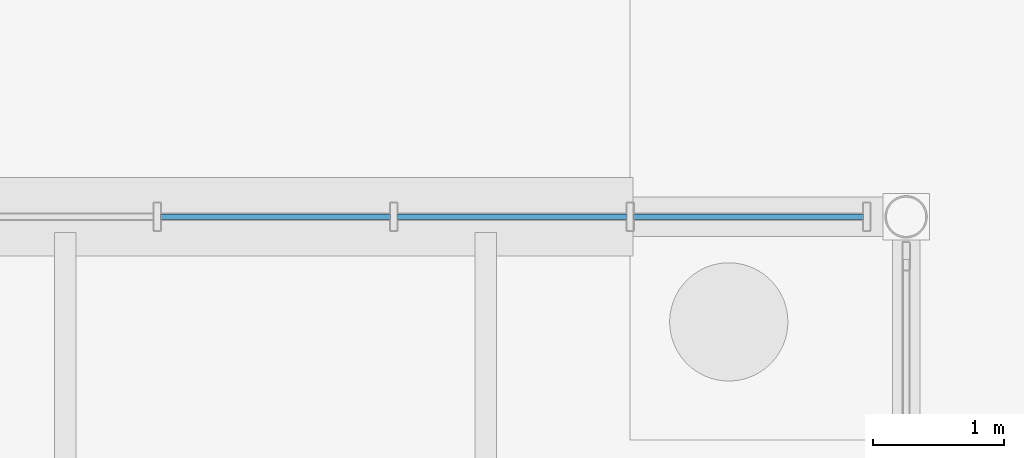
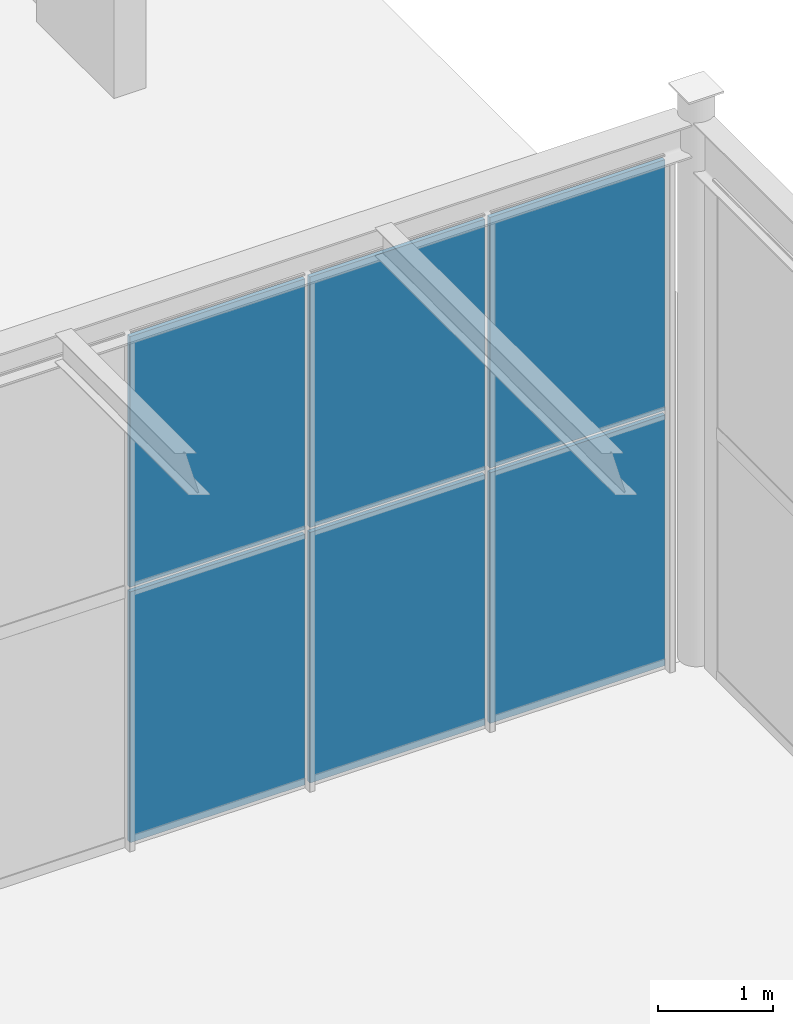
# One storey, part 112 of 142: 6 plates, 1 element without a shape of its own.
"""IFC4 building model written with IfcOpenShell, lengths in metres."""

from ifc_helpers import new_model, si_unit, direction, frame, origin, origin_2d, place, context, subcontext, project, spatial, rectangle, extrude, material, layer, layer_set, type_object, element, aggregate, save


model = new_model("IFC4")

# Units and contexts
model_context = context("Model", 3, precision=1e-05, world=origin(), true_north=direction((0.0, 1.0)))
body_context = subcontext(model_context, "Body", "Model", "MODEL_VIEW")
ifc_project = project(units=[si_unit("LENGTHUNIT", "METRE"), si_unit("AREAUNIT", "SQUARE_METRE"), si_unit("VOLUMEUNIT", "CUBIC_METRE"), si_unit("PLANEANGLEUNIT", "RADIAN"), si_unit("MASSUNIT", "GRAM", prefix="KILO")], contexts=[model_context])

# Site, building, storey
site_placement = place(None, origin())
site = spatial("IfcSite", under=ifc_project, at=site_placement, CompositionType="ELEMENT")
building_placement = place(site_placement, origin())
building = spatial("IfcBuilding", under=site, at=building_placement, Name="Coralgate Yard Interchange", CompositionType="ELEMENT")
storey_placement = place(building_placement, origin())
storey = spatial("IfcBuildingStorey", under=building, at=storey_placement, Name="L00", CompositionType="ELEMENT", Elevation=0.0)

# Curtain wall, plates
ifc_material_1 = material(Name="Anodised coastal aluminium and solar-control low-E glass", Category="aluminium")
curtain_wall_type = type_object("IfcCurtainWallType", Name="CW-CW-L00-A", PredefinedType="NOTDEFINED", material=ifc_material_1)
curtain_wall_placement = place(storey_placement, origin())
curtain_wall = element("IfcCurtainWall", 1, at=curtain_wall_placement, inside=storey, type_object=curtain_wall_type, Name="L00 unitised curtain wall CW-L00-N-18-09", PredefinedType="NOTDEFINED")
ifc_material_2 = material(Name="Solar-control double-glazed low-E glass unit", Category="glass")
ifc_layer = layer(ifc_material_2, 0.0419921875)
ifc_layer_set = layer_set([ifc_layer], Name="Solar-control double-glazed low-E glass unit")
plate_type = type_object("IfcPlateType", Name="PLT-CP-42", PredefinedType="CURTAIN_PANEL", material=ifc_layer_set)
plate_1_placement = place(storey_placement, frame((177.60009765625, 96.0, 0.025146484375), z_axis=(0.0, 0.0, 1.0), x_axis=(1.0, 0.0, 0.0)))
plate_1 = element("IfcPlate", 2, at=plate_1_placement, type_object=plate_type, Name="CW-L00-N-18-09 solar-control glazing panel 3-1", PredefinedType="CURTAIN_PANEL", context=body_context, shape_type="SweptSolid", body=[
    extrude(rectangle(XDim=1.75, YDim=0.0419921875, at=origin_2d()), origin(), (0.0, 0.0, 1.0), 2.64990234375),
])
plate_2_placement = place(storey_placement, frame((177.60009765625, 96.0, 2.72509765625), z_axis=(0.0, 0.0, 1.0), x_axis=(1.0, 0.0, 0.0)))
plate_2 = element("IfcPlate", 3, at=plate_2_placement, type_object=plate_type, Name="CW-L00-N-18-09 solar-control glazing panel 3-2", PredefinedType="CURTAIN_PANEL", context=body_context, shape_type="SweptSolid", body=[
    extrude(rectangle(XDim=1.75, YDim=0.0419921875, at=origin_2d()), origin(), (0.0, 0.0, 1.0), 2.64990234375),
])
plate_3_placement = place(storey_placement, frame((179.39990234375, 96.0, 0.025146484375), z_axis=(0.0, 0.0, 1.0), x_axis=(1.0, 0.0, 0.0)))
plate_3 = element("IfcPlate", 4, at=plate_3_placement, type_object=plate_type, Name="CW-L00-N-18-09 solar-control glazing panel 4-1", PredefinedType="CURTAIN_PANEL", context=body_context, shape_type="SweptSolid", body=[
    extrude(rectangle(XDim=1.75, YDim=0.0419921875, at=origin_2d()), origin(), (0.0, 0.0, 1.0), 2.64990234375),
])
plate_4_placement = place(storey_placement, frame((179.39990234375, 96.0, 2.72509765625), z_axis=(0.0, 0.0, 1.0), x_axis=(1.0, 0.0, 0.0)))
plate_4 = element("IfcPlate", 5, at=plate_4_placement, type_object=plate_type, Name="CW-L00-N-18-09 solar-control glazing panel 4-2", PredefinedType="CURTAIN_PANEL", context=body_context, shape_type="SweptSolid", body=[
    extrude(rectangle(XDim=1.75, YDim=0.0419921875, at=origin_2d()), origin(), (0.0, 0.0, 1.0), 2.64990234375),
])
plate_5_placement = place(storey_placement, frame((181.199951171875, 96.0, 0.025146484375), z_axis=(0.0, 0.0, 1.0), x_axis=(1.0, 0.0, 0.0)))
plate_5 = element("IfcPlate", 6, at=plate_5_placement, type_object=plate_type, Name="CW-L00-N-18-09 solar-control glazing panel 5-1", PredefinedType="CURTAIN_PANEL", context=body_context, shape_type="SweptSolid", body=[
    extrude(rectangle(XDim=1.75, YDim=0.0419921875, at=origin_2d()), origin(), (0.0, 0.0, 1.0), 2.64990234375),
])
plate_6_placement = place(storey_placement, frame((181.199951171875, 96.0, 2.72509765625), z_axis=(0.0, 0.0, 1.0), x_axis=(1.0, 0.0, 0.0)))
plate_6 = element("IfcPlate", 7, at=plate_6_placement, type_object=plate_type, Name="CW-L00-N-18-09 solar-control glazing panel 5-2", PredefinedType="CURTAIN_PANEL", context=body_context, shape_type="SweptSolid", body=[
    extrude(rectangle(XDim=1.75, YDim=0.0419921875, at=origin_2d()), origin(), (0.0, 0.0, 1.0), 2.64990234375),
])
aggregate(curtain_wall, [plate_1, plate_2, plate_3, plate_4, plate_5, plate_6])

save(model, "model.ifc")
